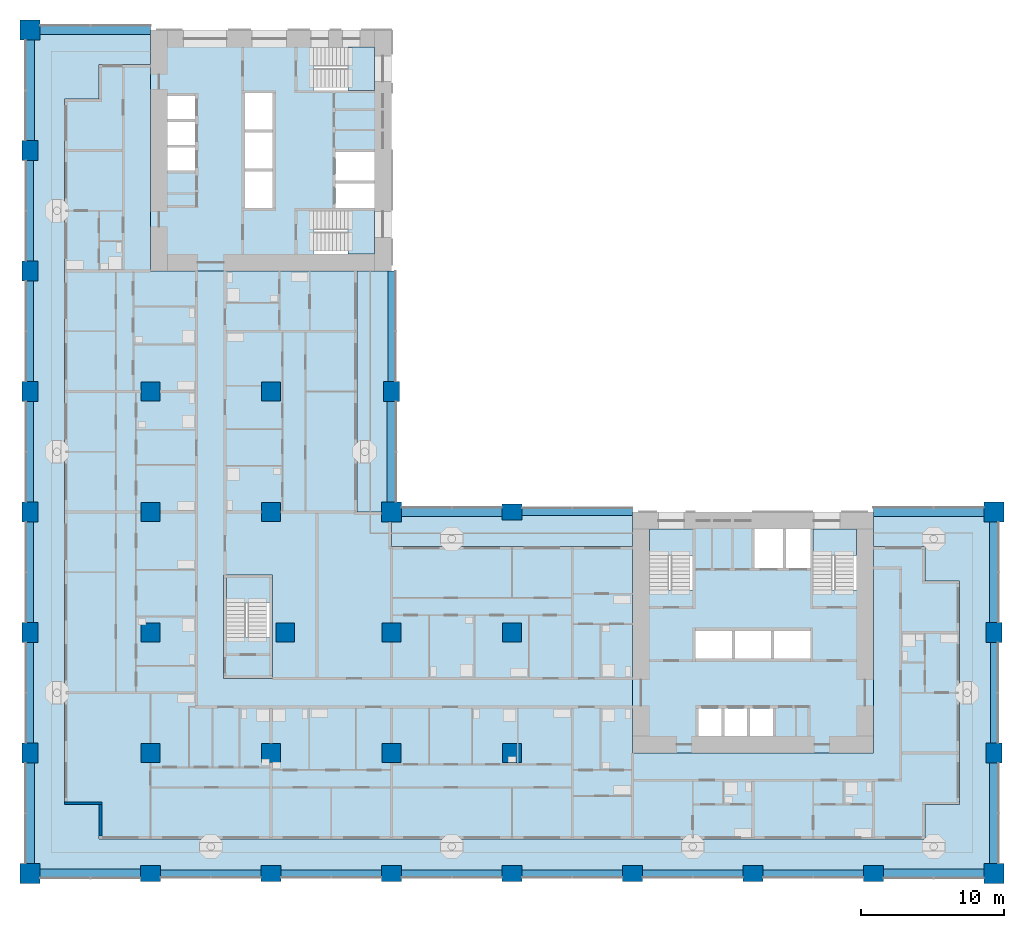
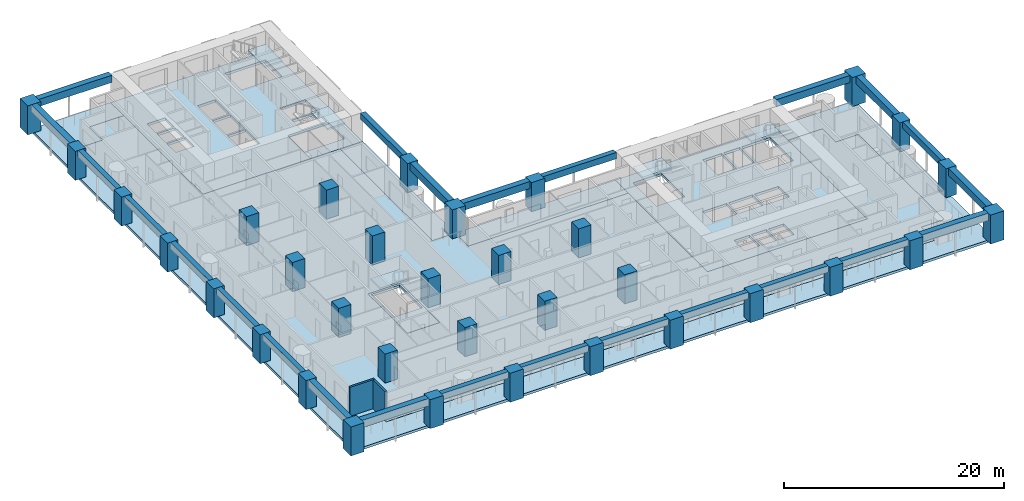
# One storey, part 1 of 22: 34 columns, 24 beams, 12 slabs, 2 walls, 5 elements without a shape of their own.
"""IFC4 building model written with IfcOpenShell, lengths in metres."""

from ifc_helpers import new_model, si_unit, direction, frame, frame_2d, origin, origin_2d, place, context, subcontext, project, spatial, polyline, rectangle, outline, extrude, material, layer, layer_set, material_profile, profile_set, type_object, element, aggregate, save


model = new_model("IFC4")

# Units and contexts
model_context = context("Model", 3, precision=1e-05, world=origin(), true_north=direction((0.0, 1.0)))
body_context = subcontext(model_context, "Body", "Model", "MODEL_VIEW")
ifc_project = project(units=[si_unit("LENGTHUNIT", "METRE"), si_unit("AREAUNIT", "SQUARE_METRE"), si_unit("VOLUMEUNIT", "CUBIC_METRE"), si_unit("PLANEANGLEUNIT", "RADIAN"), si_unit("MASSUNIT", "GRAM", prefix="KILO")], contexts=[model_context])

# Site, building, storey
site_placement = place(None, origin())
site = spatial("IfcSite", under=ifc_project, at=site_placement, CompositionType="ELEMENT")
building_placement = place(site_placement, origin())
building = spatial("IfcBuilding", under=site, at=building_placement, Name="Vermilion Gate Residences", CompositionType="ELEMENT")
storey_placement = place(building_placement, frame((0.0, 0.0, 60.199951171875)))
storey = spatial("IfcBuildingStorey", under=building, at=storey_placement, Name="L14", CompositionType="ELEMENT", Elevation=60.199951171875)

# Columns
ifc_material_1 = material(Name="Concrete C80", Category="concrete")
ifc_material_profile_1 = material_profile(ifc_material_1, rectangle(XDim=1.300048828125, YDim=1.300048828125, at=origin_2d()), Name="RC-1300x1300")
ifc_profile_set_1 = profile_set([ifc_material_profile_1], Name="Concrete C80")
column_type_1 = type_object("IfcColumnType", Name="RC COLUMN 1300 X 1300 C80", PredefinedType="COLUMN", material=ifc_profile_set_1)
for number, where, z_axis, x_axis, name in (
    (1, (8.39990234375, 8.39990234375, 0.0), (0.0, 0.0, 1.0), (1.0, 0.0, 0.0), "Column 2-B L14"),
    (2, (8.39990234375, 16.800048828125, 0.0), (0.0, 0.0, 1.0), (1.0, 0.0, 0.0), "Column 2-C L14"),
    (3, (8.39990234375, 25.199951171875, 0.0), (0.0, 0.0, 1.0), (1.0, 0.0, 0.0), "Column 2-D L14"),
    (4, (8.39990234375, 33.60009765625, 0.0), (0.0, 0.0, 1.0), (1.0, 0.0, 0.0), "Column 2-E L14"),
    (5, (16.800048828125, 8.39990234375, 0.0), (0.0, 0.0, 1.0), (1.0, 0.0, 0.0), "Column 3-B L14"),
    (6, (17.800048828125, 16.800048828125, 0.0), (0.0, 0.0, 1.0), (1.0, 0.0, 0.0), "Column 3-C L14"),
    (7, (16.800048828125, 25.199951171875, 0.0), (0.0, 0.0, 1.0), (1.0, 0.0, 0.0), "Column 3-D L14"),
    (8, (16.800048828125, 33.60009765625, 0.0), (0.0, 0.0, 1.0), (1.0, 0.0, 0.0), "Column 3-E L14"),
    (9, (25.199951171875, 8.39990234375, 0.0), (0.0, 0.0, 1.0), (1.0, 0.0, 0.0), "Column 4-B L14"),
    (10, (25.199951171875, 16.800048828125, 0.0), (0.0, 0.0, 1.0), (1.0, 0.0, 0.0), "Column 4-C L14"),
    (11, (33.60009765625, 8.39990234375, 0.0), (0.0, 0.0, 1.0), (1.0, 0.0, 0.0), "Column 5-B L14"),
    (12, (33.60009765625, 16.800048828125, 0.0), (0.0, 0.0, 1.0), (1.0, 0.0, 0.0), "Column 5-C L14"),
):
    element("IfcColumn", number, at=place(storey_placement, frame(where, z_axis=z_axis, x_axis=x_axis)), inside=storey, type_object=column_type_1, Name=name, PredefinedType="COLUMN", context=body_context, shape_type="SweptSolid", body=[
        extrude(rectangle(XDim=1.300048828125, YDim=1.300048828125, at=origin_2d()), origin(), (0.0, 0.0, 1.0), 3.219970703125),
    ])
ifc_material_2 = material(Name="Concrete C80", Category="concrete")
ifc_material_profile_2 = material_profile(ifc_material_2, rectangle(XDim=1.39990234375, YDim=1.10009765625, at=origin_2d()), Name="RC-1400x1100")
ifc_profile_set_2 = profile_set([ifc_material_profile_2], Name="Concrete C80")
column_type_2 = type_object("IfcColumnType", Name="RC COLUMN 1400 X 1100 C80", PredefinedType="COLUMN", material=ifc_profile_set_2)
for number, where, z_axis, x_axis, name in (
    (13, (0.0, 8.39990234375, 0.0), (0.0, 0.0, 1.0), (0.0, 1.0, 0.0), "Column 1-B L14"),
    (14, (0.0, 16.800048828125, 0.0), (0.0, 0.0, 1.0), (0.0, 1.0, 0.0), "Column 1-C L14"),
    (15, (0.0, 25.199951171875, 0.0), (0.0, 0.0, 1.0), (0.0, 1.0, 0.0), "Column 1-D L14"),
    (16, (0.0, 33.60009765625, 0.0), (0.0, 0.0, 1.0), (0.0, 1.0, 0.0), "Column 1-E L14"),
    (17, (0.0, 42.0, 0.0), (0.0, 0.0, 1.0), (0.0, 1.0, 0.0), "Column 1-F L14"),
    (18, (0.0, 50.39990234375, 0.0), (0.0, 0.0, 1.0), (0.0, 1.0, 0.0), "Column 1-G L14"),
    (19, (8.39990234375, 0.0, 0.0), (0.0, 0.0, 1.0), (1.0, 0.0, 0.0), "Column 2-A L14"),
    (20, (16.800048828125, 0.0, 0.0), (0.0, 0.0, 1.0), (1.0, 0.0, 0.0), "Column 3-A L14"),
    (21, (25.199951171875, 0.0, 0.0), (0.0, 0.0, 1.0), (1.0, 0.0, 0.0), "Column 4-A L14"),
    (22, (25.199951171875, 33.60009765625, 0.0), (0.0, 0.0, 1.0), (0.0, 1.0, 0.0), "Column 4-E L14"),
    (23, (33.60009765625, 0.0, 0.0), (0.0, 0.0, 1.0), (1.0, 0.0, 0.0), "Column 5-A L14"),
    (24, (33.60009765625, 25.199951171875, 0.0), (0.0, 0.0, 1.0), (1.0, 0.0, 0.0), "Column 5-D L14"),
    (25, (42.0, 0.0, 0.0), (0.0, 0.0, 1.0), (1.0, 0.0, 0.0), "Column 6-A L14"),
    (26, (50.39990234375, 0.0, 0.0), (0.0, 0.0, 1.0), (1.0, 0.0, 0.0), "Column 7-A L14"),
    (27, (58.800048828125, 0.0, 0.0), (0.0, 0.0, 1.0), (1.0, 0.0, 0.0), "Column 8-A L14"),
    (28, (67.199951171875, 8.39990234375, 0.0), (0.0, 0.0, 1.0), (0.0, 1.0, 0.0), "Column 9-B L14"),
    (29, (67.199951171875, 16.800048828125, 0.0), (0.0, 0.0, 1.0), (0.0, 1.0, 0.0), "Column 9-C L14"),
):
    element("IfcColumn", number, at=place(storey_placement, frame(where, z_axis=z_axis, x_axis=x_axis)), inside=storey, type_object=column_type_2, Name=name, PredefinedType="COLUMN", context=body_context, shape_type="SweptSolid", body=[
        extrude(rectangle(XDim=1.39990234375, YDim=1.10009765625, at=origin_2d()), origin(), (0.0, 0.0, 1.0), 3.219970703125),
    ])
ifc_material_3 = material(Name="Concrete C80", Category="concrete")
ifc_material_profile_3 = material_profile(ifc_material_3, rectangle(XDim=1.39990234375, YDim=1.39990234375, at=origin_2d()), Name="RC-1400x1400")
ifc_profile_set_3 = profile_set([ifc_material_profile_3], Name="Concrete C80")
column_type_3 = type_object("IfcColumnType", Name="RC COLUMN 1400 X 1400 C80", PredefinedType="COLUMN", material=ifc_profile_set_3)
for number, where, z_axis, x_axis, name in (
    (30, (0.0, 0.0, 0.0), (0.0, 0.0, 1.0), (1.0, 0.0, 0.0), "Column 1-A L14"),
    (31, (0.0, 58.800048828125, 0.0), (0.0, 0.0, 1.0), (1.0, 0.0, 0.0), "Column 1-H L14"),
    (32, (25.199951171875, 25.199951171875, 0.0), (0.0, 0.0, 1.0), (1.0, 0.0, 0.0), "Column 4-D L14"),
    (33, (67.199951171875, 0.0, 0.0), (0.0, 0.0, 1.0), (1.0, 0.0, 0.0), "Column 9-A L14"),
    (34, (67.199951171875, 25.199951171875, 0.0), (0.0, 0.0, 1.0), (1.0, 0.0, 0.0), "Column 9-D L14"),
):
    element("IfcColumn", number, at=place(storey_placement, frame(where, z_axis=z_axis, x_axis=x_axis)), inside=storey, type_object=column_type_3, Name=name, PredefinedType="COLUMN", context=body_context, shape_type="SweptSolid", body=[
        extrude(rectangle(XDim=1.39990234375, YDim=1.39990234375, at=origin_2d()), origin(), (0.0, 0.0, 1.0), 3.219970703125),
    ])

# Beams
ifc_material_4 = material(Name="Concrete C60 red-oxide pigmented", Category="concrete")
ifc_material_profile_4 = material_profile(ifc_material_4, rectangle(XDim=0.60009765625, YDim=0.800048828125, at=origin_2d()), Name="RC-600x800")
ifc_profile_set_4 = profile_set([ifc_material_profile_4], Name="Concrete C60 red-oxide pigmented")
beam_type_1 = type_object("IfcBeamType", Name="RC CORNER EDGE BEAM 600 X 800 C60", PredefinedType="BEAM", material=ifc_profile_set_4)
for number, where, z_axis, x_axis, name in (
    (35, (0.699951171875, 0.0, 2.820068359375), (1.0, 0.0, 0.0), (0.0, 1.0, 0.0), "Corner edge beam L14 1"),
    (36, (0.0, 0.699951171875, 2.820068359375), (0.0, 1.0, 0.0), (-1.0, 0.0, 0.0), "Corner edge beam L14 2"),
):
    element("IfcBeam", number, at=place(storey_placement, frame(where, z_axis=z_axis, x_axis=x_axis)), inside=storey, type_object=beam_type_1, Name=name, PredefinedType="BEAM", context=body_context, shape_type="SweptSolid", body=[
        extrude(rectangle(XDim=0.60009765625, YDim=0.800048828125, at=origin_2d()), origin(), (0.0, 0.0, 1.0), 7.0),
    ])
beam_1_placement = place(storey_placement, frame((0.699951171875, 58.800048828125, 2.820068359375), z_axis=(1.0, 0.0, 0.0), x_axis=(0.0, 1.0, 0.0)))
element("IfcBeam", 37, at=beam_1_placement, inside=storey, type_object=beam_type_1, Name="Corner edge beam L14 8", PredefinedType="BEAM", context=body_context, shape_type="SweptSolid", body=[
    extrude(rectangle(XDim=0.60009765625, YDim=0.800048828125, at=origin_2d()), origin(), (0.0, 0.0, 1.0), 7.699951171875),
])
for number, where, z_axis, x_axis, name in (
    (38, (0.0, 51.10009765625, 2.820068359375), (0.0, 1.0, 0.0), (-1.0, 0.0, 0.0), "Corner edge beam L14 9"),
    (39, (25.199951171875, 25.89990234375, 2.820068359375), (0.0, 1.0, 0.0), (-1.0, 0.0, 0.0), "Corner edge beam L14 12"),
    (40, (25.89990234375, 25.199951171875, 2.820068359375), (1.0, 0.0, 0.0), (0.0, 1.0, 0.0), "Corner edge beam L14 15"),
    (41, (59.5, 0.0, 2.820068359375), (1.0, 0.0, 0.0), (0.0, 1.0, 0.0), "Corner edge beam L14 20"),
    (42, (67.199951171875, 0.699951171875, 2.820068359375), (0.0, 1.0, 0.0), (-1.0, 0.0, 0.0), "Corner edge beam L14 21"),
    (43, (67.199951171875, 17.5, 2.820068359375), (0.0, 1.0, 0.0), (-1.0, 0.0, 0.0), "Corner edge beam L14 23"),
):
    element("IfcBeam", number, at=place(storey_placement, frame(where, z_axis=z_axis, x_axis=x_axis)), inside=storey, type_object=beam_type_1, Name=name, PredefinedType="BEAM", context=body_context, shape_type="SweptSolid", body=[
        extrude(rectangle(XDim=0.60009765625, YDim=0.800048828125, at=origin_2d()), origin(), (0.0, 0.0, 1.0), 7.0),
    ])
beam_2_placement = place(storey_placement, frame((58.800048828125, 25.199951171875, 2.820068359375), z_axis=(1.0, 0.0, 0.0), x_axis=(0.0, 1.0, 0.0)))
element("IfcBeam", 44, at=beam_2_placement, inside=storey, type_object=beam_type_1, Name="Corner edge beam L14 24", PredefinedType="BEAM", context=body_context, shape_type="SweptSolid", body=[
    extrude(rectangle(XDim=0.60009765625, YDim=0.800048828125, at=origin_2d()), origin(), (0.0, 0.0, 1.0), 7.699951171875),
])
ifc_material_5 = material(Name="Concrete C60 red-oxide pigmented", Category="concrete")
ifc_material_profile_5 = material_profile(ifc_material_5, rectangle(XDim=0.5, YDim=0.699951171875, at=origin_2d()), Name="RC-500x700")
ifc_profile_set_5 = profile_set([ifc_material_profile_5], Name="Concrete C60 red-oxide pigmented")
beam_type_2 = type_object("IfcBeamType", Name="RC EDGE BEAM 500 X 700 C60", PredefinedType="BEAM", material=ifc_profile_set_5)
for number, where, z_axis, x_axis, name in (
    (45, (0.0, 9.10009765625, 2.8701171875), (0.0, 1.0, 0.0), (-1.0, 0.0, 0.0), "Edge beam L14 3"),
    (46, (0.0, 17.5, 2.8701171875), (0.0, 1.0, 0.0), (-1.0, 0.0, 0.0), "Edge beam L14 4"),
    (47, (0.0, 25.89990234375, 2.8701171875), (0.0, 1.0, 0.0), (-1.0, 0.0, 0.0), "Edge beam L14 5"),
    (48, (0.0, 34.300048828125, 2.8701171875), (0.0, 1.0, 0.0), (-1.0, 0.0, 0.0), "Edge beam L14 6"),
    (49, (0.0, 42.699951171875, 2.8701171875), (0.0, 1.0, 0.0), (-1.0, 0.0, 0.0), "Edge beam L14 7"),
    (50, (9.10009765625, 0.0, 2.8701171875), (1.0, 0.0, 0.0), (0.0, 1.0, 0.0), "Edge beam L14 10"),
    (51, (17.5, 0.0, 2.8701171875), (1.0, 0.0, 0.0), (0.0, 1.0, 0.0), "Edge beam L14 11"),
):
    element("IfcBeam", number, at=place(storey_placement, frame(where, z_axis=z_axis, x_axis=x_axis)), inside=storey, type_object=beam_type_2, Name=name, PredefinedType="BEAM", context=body_context, shape_type="SweptSolid", body=[
        extrude(rectangle(XDim=0.5, YDim=0.699951171875, at=origin_2d()), origin(), (0.0, 0.0, 1.0), 7.0),
    ])
beam_3_placement = place(storey_placement, frame((25.199951171875, 34.300048828125, 2.8701171875), z_axis=(0.0, 1.0, 0.0), x_axis=(-1.0, 0.0, 0.0)))
element("IfcBeam", 52, at=beam_3_placement, inside=storey, type_object=beam_type_2, Name="Edge beam L14 13", PredefinedType="BEAM", context=body_context, shape_type="SweptSolid", body=[
    extrude(rectangle(XDim=0.5, YDim=0.699951171875, at=origin_2d()), origin(), (0.0, 0.0, 1.0), 7.699951171875),
])
for number, where, z_axis, x_axis, name in (
    (53, (25.89990234375, 0.0, 2.8701171875), (1.0, 0.0, 0.0), (0.0, 1.0, 0.0), "Edge beam L14 14"),
    (54, (34.300048828125, 0.0, 2.8701171875), (1.0, 0.0, 0.0), (0.0, 1.0, 0.0), "Edge beam L14 16"),
):
    element("IfcBeam", number, at=place(storey_placement, frame(where, z_axis=z_axis, x_axis=x_axis)), inside=storey, type_object=beam_type_2, Name=name, PredefinedType="BEAM", context=body_context, shape_type="SweptSolid", body=[
        extrude(rectangle(XDim=0.5, YDim=0.699951171875, at=origin_2d()), origin(), (0.0, 0.0, 1.0), 7.0),
    ])
beam_4_placement = place(storey_placement, frame((34.300048828125, 25.199951171875, 2.8701171875), z_axis=(1.0, 0.0, 0.0), x_axis=(0.0, 1.0, 0.0)))
element("IfcBeam", 55, at=beam_4_placement, inside=storey, type_object=beam_type_2, Name="Edge beam L14 17", PredefinedType="BEAM", context=body_context, shape_type="SweptSolid", body=[
    extrude(rectangle(XDim=0.5, YDim=0.699951171875, at=origin_2d()), origin(), (0.0, 0.0, 1.0), 7.699951171875),
])
for number, where, z_axis, x_axis, name in (
    (56, (42.699951171875, 0.0, 2.8701171875), (1.0, 0.0, 0.0), (0.0, 1.0, 0.0), "Edge beam L14 18"),
    (57, (51.10009765625, 0.0, 2.8701171875), (1.0, 0.0, 0.0), (0.0, 1.0, 0.0), "Edge beam L14 19"),
    (58, (67.199951171875, 9.10009765625, 2.8701171875), (0.0, 1.0, 0.0), (-1.0, 0.0, 0.0), "Edge beam L14 22"),
):
    element("IfcBeam", number, at=place(storey_placement, frame(where, z_axis=z_axis, x_axis=x_axis)), inside=storey, type_object=beam_type_2, Name=name, PredefinedType="BEAM", context=body_context, shape_type="SweptSolid", body=[
        extrude(rectangle(XDim=0.5, YDim=0.699951171875, at=origin_2d()), origin(), (0.0, 0.0, 1.0), 7.0),
    ])

# Slabs
ifc_material_6 = material(Name="Concrete C50", Category="concrete")
ifc_layer_1 = layer(ifc_material_6, 0.280029296875)
ifc_layer_set_1 = layer_set([ifc_layer_1], Name="RC CORE FLOOR SLAB 280 C50")
slab_type_1 = type_object("IfcSlabType", Name="RC CORE FLOOR SLAB 280 C50", PredefinedType="FLOOR", material=ifc_layer_set_1)
slab_1_placement = place(storey_placement, frame((0.0, 0.0, -0.280029296875)))
element("IfcSlab", 59, at=slab_1_placement, inside=storey, type_object=slab_type_1, Name="Core floor slab A14", PredefinedType="FLOOR", context=body_context, shape_type="SweptSolid", body=[
    extrude(outline(polyline([(42.0, 8.39990234375), (58.800048828125, 8.39990234375), (58.800048828125, 25.199951171875), (42.0, 25.199951171875), (42.0, 8.39990234375)]), holes=[polyline([(46.60009765625, 11.5), (48.199951171875, 11.5), (48.199951171875, 9.60009765625), (46.60009765625, 9.60009765625), (46.60009765625, 11.5)]), polyline([(48.39990234375, 11.5), (50.0, 11.5), (50.0, 9.60009765625), (48.39990234375, 9.60009765625), (48.39990234375, 11.5)]), polyline([(50.199951171875, 11.5), (51.800048828125, 11.5), (51.800048828125, 9.60009765625), (50.199951171875, 9.60009765625), (50.199951171875, 11.5)]), polyline([(48.933349609375, 16.89990234375), (48.933349609375, 15.0), (46.39990234375, 15.0), (46.39990234375, 16.89990234375), (48.933349609375, 16.89990234375)]), polyline([(51.666748046875, 16.89990234375), (51.666748046875, 15.0), (49.13330078125, 15.0), (49.13330078125, 16.89990234375), (51.666748046875, 16.89990234375)]), polyline([(51.86669921875, 16.89990234375), (54.39990234375, 16.89990234375), (54.39990234375, 15.0), (51.86669921875, 15.0), (51.86669921875, 16.89990234375)]), polyline([(43.199951171875, 24.0), (46.199951171875, 24.0), (46.199951171875, 19.75), (43.199951171875, 19.75), (43.199951171875, 24.0)]), polyline([(54.60009765625, 24.0), (57.60009765625, 24.0), (57.60009765625, 19.75), (54.60009765625, 19.75), (54.60009765625, 24.0)]), polyline([(52.5, 24.0), (52.5, 21.300048828125), (50.5, 21.300048828125), (50.5, 24.0), (52.5, 24.0)]), polyline([(54.39990234375, 24.0), (54.39990234375, 21.300048828125), (52.699951171875, 21.300048828125), (52.699951171875, 24.0), (54.39990234375, 24.0)])]), origin(), (0.0, 0.0, 1.0), 0.280029296875),
])
slab_2_placement = place(storey_placement, frame((0.0, 0.0, -0.280029296875)))
element("IfcSlab", 60, at=slab_2_placement, inside=storey, type_object=slab_type_1, Name="Core floor slab B14", PredefinedType="FLOOR", context=body_context, shape_type="SweptSolid", body=[
    extrude(outline(polyline([(8.39990234375, 42.0), (25.199951171875, 42.0), (25.199951171875, 58.800048828125), (8.39990234375, 58.800048828125), (8.39990234375, 42.0)]), holes=[polyline([(19.75, 46.199951171875), (24.0, 46.199951171875), (24.0, 43.199951171875), (19.75, 43.199951171875), (19.75, 46.199951171875)]), polyline([(21.300048828125, 48.10009765625), (24.0, 48.10009765625), (24.0, 46.39990234375), (21.300048828125, 46.39990234375), (21.300048828125, 48.10009765625)]), polyline([(15.0, 48.933349609375), (16.89990234375, 48.933349609375), (16.89990234375, 46.39990234375), (15.0, 46.39990234375), (15.0, 48.933349609375)]), polyline([(24.0, 50.300048828125), (24.0, 48.300048828125), (21.300048828125, 48.300048828125), (21.300048828125, 50.300048828125), (24.0, 50.300048828125)]), polyline([(11.5, 50.60009765625), (11.5, 49.0), (9.60009765625, 49.0), (9.60009765625, 50.60009765625), (11.5, 50.60009765625)]), polyline([(15.0, 51.666748046875), (16.89990234375, 51.666748046875), (16.89990234375, 49.13330078125), (15.0, 49.13330078125), (15.0, 51.666748046875)]), polyline([(9.60009765625, 52.39990234375), (11.5, 52.39990234375), (11.5, 50.800048828125), (9.60009765625, 50.800048828125), (9.60009765625, 52.39990234375)]), polyline([(15.0, 54.39990234375), (16.89990234375, 54.39990234375), (16.89990234375, 51.86669921875), (15.0, 51.86669921875), (15.0, 54.39990234375)]), polyline([(11.5, 54.199951171875), (11.5, 52.60009765625), (9.60009765625, 52.60009765625), (9.60009765625, 54.199951171875), (11.5, 54.199951171875)]), polyline([(24.0, 57.60009765625), (24.0, 54.60009765625), (19.75, 54.60009765625), (19.75, 57.60009765625), (24.0, 57.60009765625)])]), origin(), (0.0, 0.0, 1.0), 0.280029296875),
])
slab_3_placement = place(storey_placement, frame((0.0, 0.0, -0.280029296875)))
element("IfcSlab", 61, at=slab_3_placement, inside=storey, type_object=slab_type_1, Name="Apex stair floor slab 14", PredefinedType="FLOOR", context=body_context, shape_type="SweptSolid", body=[
    extrude(outline(polyline([(13.5, 13.60009765625), (16.89990234375, 13.60009765625), (16.89990234375, 20.800048828125), (13.5, 20.800048828125), (13.5, 13.60009765625)]), holes=[polyline([(16.699951171875, 20.60009765625), (16.699951171875, 16.449951171875), (13.699951171875, 16.449951171875), (13.699951171875, 20.60009765625), (16.699951171875, 20.60009765625)])]), origin(), (0.0, 0.0, 1.0), 0.280029296875),
])
ifc_material_7 = material(Name="Concrete C50", Category="concrete")
ifc_layer_2 = layer(ifc_material_7, 0.280029296875)
ifc_layer_set_2 = layer_set([ifc_layer_2], Name="RC FLAT PLATE 280 C50")
slab_type_2 = type_object("IfcSlabType", Name="RC FLAT PLATE 280 C50", PredefinedType="FLOOR", material=ifc_layer_set_2)
slab_4_placement = place(storey_placement, frame((0.0, 0.0, -0.280029296875)))
element("IfcSlab", 62, at=slab_4_placement, inside=storey, type_object=slab_type_2, Name="Floor slab L14", PredefinedType="FLOOR", context=body_context, shape_type="SweptSolid", body=[
    extrude(outline(polyline([(22.800048828125, 25.199951171875), (22.800048828125, 42.0), (8.39990234375, 42.0), (8.39990234375, 56.39990234375), (4.800048828125, 56.39990234375), (4.800048828125, 54.0), (2.39990234375, 54.0), (2.39990234375, 4.800048828125), (4.800048828125, 4.800048828125), (4.800048828125, 2.39990234375), (62.39990234375, 2.39990234375), (62.39990234375, 4.800048828125), (64.800048828125, 4.800048828125), (64.800048828125, 20.39990234375), (62.39990234375, 20.39990234375), (62.39990234375, 22.800048828125), (58.800048828125, 22.800048828125), (58.800048828125, 8.39990234375), (42.0, 8.39990234375), (42.0, 22.800048828125), (25.199951171875, 22.800048828125), (25.199951171875, 25.199951171875), (22.800048828125, 25.199951171875)]), holes=[polyline([(13.5, 13.60009765625), (13.5, 20.800048828125), (16.89990234375, 20.800048828125), (16.89990234375, 13.60009765625), (13.5, 13.60009765625)])]), origin(), (0.0, 0.0, 1.0), 0.280029296875),
])
ifc_material_8 = material(Name="Concrete C50 red-oxide pigmented", Category="concrete")
ifc_layer_3 = layer(ifc_material_8, 0.280029296875)
ifc_layer_set_3 = layer_set([ifc_layer_3], Name="RC LOGGIA SLAB 280 C50")
slab_type_3 = type_object("IfcSlabType", Name="RC LOGGIA SLAB 280 C50", PredefinedType="FLOOR", material=ifc_layer_set_3)
slab_5_placement = place(storey_placement, frame((0.0, 0.0, -0.280029296875)))
element("IfcSlab", 63, at=slab_5_placement, inside=storey, type_object=slab_type_3, Name="Loggia slab L14", PredefinedType="FLOOR", context=body_context, shape_type="SweptSolid", body=[
    extrude(outline(polyline([(0.0, 58.800048828125), (0.0, 0.0), (67.199951171875, 0.0), (67.199951171875, 25.199951171875), (58.800048828125, 25.199951171875), (58.800048828125, 22.800048828125), (62.39990234375, 22.800048828125), (62.39990234375, 20.39990234375), (64.800048828125, 20.39990234375), (64.800048828125, 4.800048828125), (62.39990234375, 4.800048828125), (62.39990234375, 2.39990234375), (4.800048828125, 2.39990234375), (4.800048828125, 4.800048828125), (2.39990234375, 4.800048828125), (2.39990234375, 54.0), (4.800048828125, 54.0), (4.800048828125, 56.39990234375), (8.39990234375, 56.39990234375), (8.39990234375, 58.800048828125), (0.0, 58.800048828125)])), origin(), (0.0, 0.0, 1.0), 0.280029296875),
])
slab_6_placement = place(storey_placement, frame((0.0, 0.0, -0.280029296875)))
element("IfcSlab", 64, at=slab_6_placement, inside=storey, type_object=slab_type_3, Name="Loggia slab L14", PredefinedType="FLOOR", context=body_context, shape_type="SweptSolid", body=[
    extrude(outline(polyline([(25.199951171875, 22.800048828125), (42.0, 22.800048828125), (42.0, 25.199951171875), (25.199951171875, 25.199951171875), (25.199951171875, 22.800048828125)])), origin(), (0.0, 0.0, 1.0), 0.280029296875),
])
slab_7_placement = place(storey_placement, frame((0.0, 0.0, -0.280029296875)))
element("IfcSlab", 65, at=slab_7_placement, inside=storey, type_object=slab_type_3, Name="Loggia slab L14", PredefinedType="FLOOR", context=body_context, shape_type="SweptSolid", body=[
    extrude(outline(polyline([(22.800048828125, 42.0), (22.800048828125, 25.199951171875), (25.199951171875, 25.199951171875), (25.199951171875, 42.0), (22.800048828125, 42.0)])), origin(), (0.0, 0.0, 1.0), 0.280029296875),
])

# Stair, slab
ifc_material_9 = material(Name="Concrete C50", Category="concrete")
stair_type = type_object("IfcStairType", Name="SPECIAL ESCAPE STAIR 1300", PredefinedType="HALF_TURN_STAIR", material=ifc_material_9)
stair_1_placement = place(storey_placement, origin())
stair_1 = element("IfcStair", 66, at=stair_1_placement, inside=storey, type_object=stair_type, Name="Special escape stair STA1-14", PredefinedType="HALF_TURN_STAIR")
ifc_material_10 = material(Name="Concrete C50", Category="concrete")
ifc_layer_4 = layer(ifc_material_10, 0.199951171875)
ifc_layer_set_4 = layer_set([ifc_layer_4], Name="STAIR LANDING 200 C50")
slab_type_4 = type_object("IfcSlabType", Name="STAIR LANDING 200 C50", PredefinedType="LANDING", material=ifc_layer_set_4)
slab_8_placement = place(storey_placement, frame((0.0, 0.0, 1.550048828125)))
slab_8 = element("IfcSlab", 67, at=slab_8_placement, type_object=slab_type_4, Name="STA1-14 landing 1", PredefinedType="LANDING", context=body_context, shape_type="SweptSolid", body=[
    extrude(outline(polyline([(46.219970703125, 22.179931640625), (46.219970703125, 24.02001953125), (43.179931640625, 24.02001953125), (43.179931640625, 22.179931640625), (46.219970703125, 22.179931640625)])), origin(), (0.0, 0.0, 1.0), 0.199951171875),
])
aggregate(stair_1, [slab_8])

stair_2_placement = place(storey_placement, origin())
stair_2 = element("IfcStair", 68, at=stair_2_placement, inside=storey, type_object=stair_type, Name="Special escape stair STA2-14", PredefinedType="HALF_TURN_STAIR")
slab_9_placement = place(storey_placement, frame((0.0, 0.0, 1.550048828125)))
slab_9 = element("IfcSlab", 69, at=slab_9_placement, type_object=slab_type_4, Name="STA2-14 landing 1", PredefinedType="LANDING", context=body_context, shape_type="SweptSolid", body=[
    extrude(outline(polyline([(57.6201171875, 22.179931640625), (57.6201171875, 24.02001953125), (54.580078125, 24.02001953125), (54.580078125, 22.179931640625), (57.6201171875, 22.179931640625)])), origin(), (0.0, 0.0, 1.0), 0.199951171875),
])
aggregate(stair_2, [slab_9])

stair_3_placement = place(storey_placement, origin())
stair_3 = element("IfcStair", 70, at=stair_3_placement, inside=storey, type_object=stair_type, Name="Special escape stair STB1-14", PredefinedType="HALF_TURN_STAIR")
slab_10_placement = place(storey_placement, frame((0.0, 0.0, 1.550048828125)))
slab_10 = element("IfcSlab", 71, at=slab_10_placement, type_object=slab_type_4, Name="STB1-14 landing 1", PredefinedType="LANDING", context=body_context, shape_type="SweptSolid", body=[
    extrude(outline(polyline([(24.02001953125, 54.580078125), (24.02001953125, 57.6201171875), (22.179931640625, 57.6201171875), (22.179931640625, 54.580078125), (24.02001953125, 54.580078125)])), origin(), (0.0, 0.0, 1.0), 0.199951171875),
])
aggregate(stair_3, [slab_10])

stair_4_placement = place(storey_placement, origin())
stair_4 = element("IfcStair", 72, at=stair_4_placement, inside=storey, type_object=stair_type, Name="Special escape stair STB2-14", PredefinedType="HALF_TURN_STAIR")
slab_11_placement = place(storey_placement, frame((0.0, 0.0, 1.550048828125)))
slab_11 = element("IfcSlab", 73, at=slab_11_placement, type_object=slab_type_4, Name="STB2-14 landing 1", PredefinedType="LANDING", context=body_context, shape_type="SweptSolid", body=[
    extrude(outline(polyline([(24.02001953125, 43.179931640625), (24.02001953125, 46.219970703125), (22.179931640625, 46.219970703125), (22.179931640625, 43.179931640625), (24.02001953125, 43.179931640625)])), origin(), (0.0, 0.0, 1.0), 0.199951171875),
])
aggregate(stair_4, [slab_11])

stair_5_placement = place(storey_placement, origin())
stair_5 = element("IfcStair", 74, at=stair_5_placement, inside=storey, type_object=stair_type, Name="Special escape stair STC1-14", PredefinedType="HALF_TURN_STAIR")
slab_12_placement = place(storey_placement, frame((0.0, 0.0, 1.550048828125)))
slab_12 = element("IfcSlab", 75, at=slab_12_placement, type_object=slab_type_4, Name="STC1-14 landing 1", PredefinedType="LANDING", context=body_context, shape_type="SweptSolid", body=[
    extrude(outline(polyline([(16.719970703125, 18.8798828125), (16.719970703125, 20.6201171875), (13.679931640625, 20.6201171875), (13.679931640625, 18.8798828125), (16.719970703125, 18.8798828125)])), origin(), (0.0, 0.0, 1.0), 0.199951171875),
])
aggregate(stair_5, [slab_12])

# Walls
ifc_material_11 = material(Name="Insulated steel stud wall with terracotta rainscreen", Category="masonry")
ifc_layer_5 = layer(ifc_material_11, 0.199951171875)
ifc_layer_set_5 = layer_set([ifc_layer_5], Name="EXTERNAL WALL 200 TERRACOTTA RAINSCREEN")
wall_type = type_object("IfcWallType", Name="EXTERNAL WALL 200 TERRACOTTA RAINSCREEN", PredefinedType="SOLIDWALL", material=ifc_layer_set_5)
wall_1_placement = place(storey_placement, frame((2.39990234375, 4.89990234375, 0.0), z_axis=(0.0, 0.0, 1.0), x_axis=(1.0, 0.0, 0.0)))
element("IfcWall", 76, at=wall_1_placement, inside=storey, type_object=wall_type, Name="External wall", PredefinedType="SOLIDWALL", context=body_context, shape_type="SweptSolid", body=[
    extrude(rectangle(XDim=2.60009765625, YDim=0.199951171875, at=frame_2d((1.300048828125, 0.0))), origin(), (0.0, 0.0, 1.0), 3.219970703125),
])
wall_2_placement = place(storey_placement, frame((4.89990234375, 4.800048828125, 0.0), z_axis=(0.0, 0.0, 1.0), x_axis=(0.0, -1.0, 0.0)))
element("IfcWall", 77, at=wall_2_placement, inside=storey, type_object=wall_type, Name="External wall", PredefinedType="SOLIDWALL", context=body_context, shape_type="SweptSolid", body=[
    extrude(rectangle(XDim=2.199951171875, YDim=0.199951171875, at=frame_2d((1.10009765625, 0.0))), origin(), (0.0, 0.0, 1.0), 3.219970703125),
])

save(model, "model.ifc")
